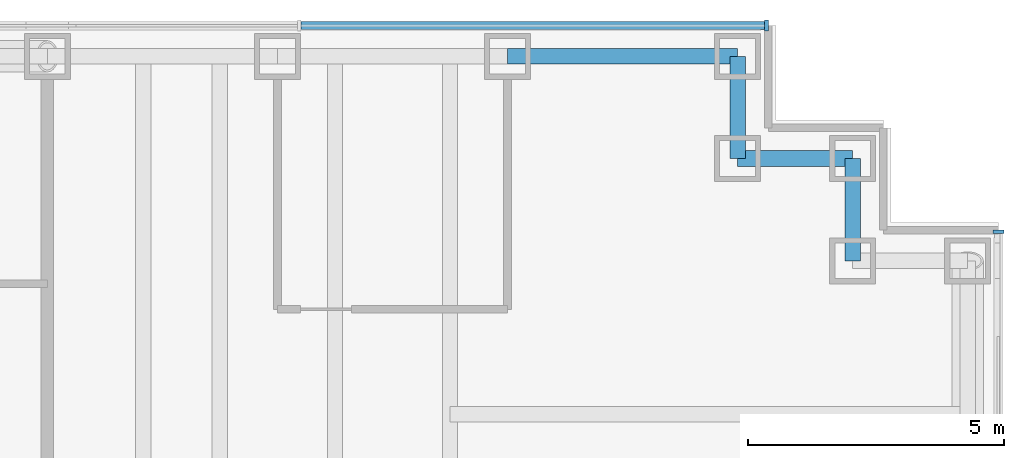
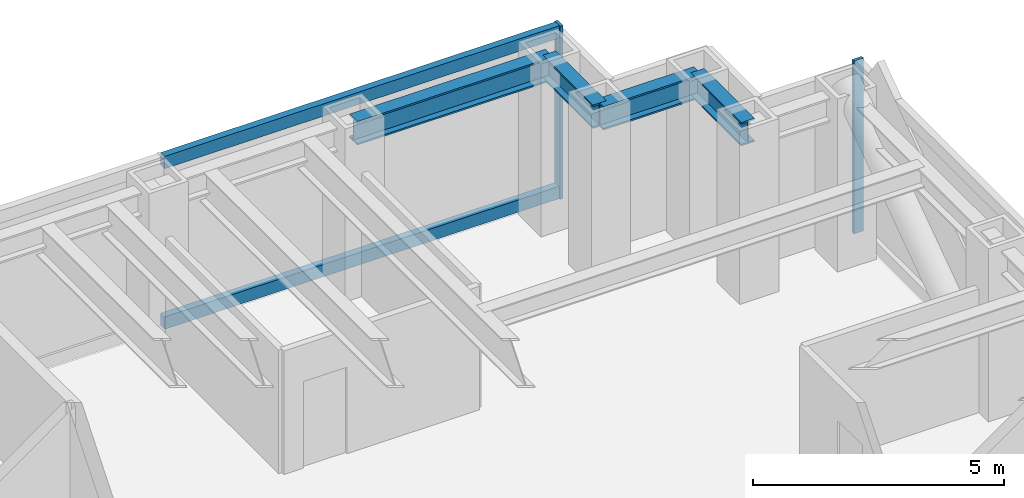
# One storey, part 9 of 17: 4 beams, 4 members, 2 elements without a shape of their own.
"""IFC4 building model written with IfcOpenShell, lengths in metres."""

from ifc_helpers import new_model, si_unit, direction, frame, origin, origin_2d, place, context, subcontext, project, spatial, rectangle, i_section, extrude, material, material_profile, profile_set, type_object, element, aggregate, save


model = new_model("IFC4")

# Units and contexts
model_context = context("Model", 3, precision=1e-05, world=origin(), true_north=direction((0.0, 1.0)))
body_context = subcontext(model_context, "Body", "Model", "MODEL_VIEW")
ifc_project = project(units=[si_unit("LENGTHUNIT", "METRE"), si_unit("AREAUNIT", "SQUARE_METRE"), si_unit("VOLUMEUNIT", "CUBIC_METRE"), si_unit("PLANEANGLEUNIT", "RADIAN"), si_unit("MASSUNIT", "GRAM", prefix="KILO")], contexts=[model_context])

# Site, building, storey
site_placement = place(None, origin())
site = spatial("IfcSite", under=ifc_project, at=site_placement, CompositionType="ELEMENT")
building_placement = place(site_placement, origin())
building = spatial("IfcBuilding", under=site, at=building_placement, Name="Rheinbord Bourse Tower", CompositionType="ELEMENT")
storey_placement = place(building_placement, frame((0.0, 0.0, 138.300048828125)))
storey = spatial("IfcBuildingStorey", under=building, at=storey_placement, Name="L30", CompositionType="ELEMENT", Elevation=138.300048828125)

# Curtain wall, member
ifc_material_1 = material(Name="Dark glass and black aluminium", Category="aluminium")
curtain_wall_type = type_object("IfcCurtainWallType", Name="CW2 DARK GLASS CURTAIN WALL", PredefinedType="USERDEFINED", material=ifc_material_1)
curtain_wall_1_placement = place(storey_placement, origin())
curtain_wall_1 = element("IfcCurtainWall", 1, at=curtain_wall_1_placement, inside=storey, type_object=curtain_wall_type, Name="Curtain wall CW2 E L30", ObjectType="UNITISED CURTAIN WALL", PredefinedType="USERDEFINED")
ifc_material_2 = material(Name="Black anodised aluminium", Category="aluminium")
ifc_material_profile_1 = material_profile(ifc_material_2, rectangle(XDim=0.219970703125, YDim=0.070068359375, at=origin_2d()), Name="CW2 MULLION 70x220")
ifc_profile_set_1 = profile_set([ifc_material_profile_1], Name="Black anodised aluminium")
member_type_1 = type_object("IfcMemberType", Name="CW2 BLACK MULLION", PredefinedType="MULLION", material=ifc_profile_set_1)
member_1_placement = place(storey_placement, frame((72.60009765625, 42.56494140625, 0.0), z_axis=(0.0, 0.0, 1.0), x_axis=(-1.0, 0.0, 0.0)))
member_1 = element("IfcMember", 2, at=member_1_placement, type_object=member_type_1, Name="CW2 mullion 6", PredefinedType="MULLION", context=body_context, shape_type="SweptSolid", body=[
    extrude(rectangle(XDim=0.219970703125, YDim=0.070068359375, at=origin_2d()), origin(), (0.0, 0.0, 1.0), 4.199951171875),
])
aggregate(curtain_wall_1, [member_1])

# Curtain wall, members
curtain_wall_2_placement = place(storey_placement, origin())
curtain_wall_2 = element("IfcCurtainWall", 3, at=curtain_wall_2_placement, inside=storey, type_object=curtain_wall_type, Name="Curtain wall CW2 N L30", ObjectType="UNITISED CURTAIN WALL", PredefinedType="USERDEFINED")
member_2_placement = place(storey_placement, frame((68.06494140625, 46.60009765625, 0.0), z_axis=(0.0, 0.0, 1.0), x_axis=(0.0, -1.0, 0.0)))
member_2 = element("IfcMember", 4, at=member_2_placement, type_object=member_type_1, Name="CW2 mullion 1", PredefinedType="MULLION", context=body_context, shape_type="SweptSolid", body=[
    extrude(rectangle(XDim=0.219970703125, YDim=0.070068359375, at=origin_2d()), origin(), (0.0, 0.0, 1.0), 4.199951171875),
])
ifc_material_3 = material(Name="Black anodised aluminium", Category="aluminium")
ifc_material_profile_2 = material_profile(ifc_material_3, rectangle(XDim=0.159912109375, YDim=0.300048828125, at=origin_2d()), Name="CW2 TRANSOM 300x160")
ifc_profile_set_2 = profile_set([ifc_material_profile_2], Name="Black anodised aluminium")
member_type_2 = type_object("IfcMemberType", Name="CW2 BLACK TRANSOM", PredefinedType="USERDEFINED", material=ifc_profile_set_2)
member_3_placement = place(storey_placement, frame((68.030029296875, 46.60009765625, 0.14990234375), z_axis=(-1.0, 0.0, 0.0), x_axis=(0.0, -1.0, 0.0)))
member_3 = element("IfcMember", 5, at=member_3_placement, type_object=member_type_2, Name="CW2 transom 1.1", ObjectType="TRANSOM", PredefinedType="USERDEFINED", context=body_context, shape_type="SweptSolid", body=[
    extrude(rectangle(XDim=0.159912109375, YDim=0.300048828125, at=origin_2d()), origin(), (0.0, 0.0, 1.0), 9.06640625),
])
member_4_placement = place(storey_placement, frame((68.030029296875, 46.60009765625, 4.050048828125), z_axis=(-1.0, 0.0, 0.0), x_axis=(0.0, -1.0, 0.0)))
member_4 = element("IfcMember", 6, at=member_4_placement, type_object=member_type_2, Name="CW2 transom 1.2", ObjectType="TRANSOM", PredefinedType="USERDEFINED", context=body_context, shape_type="SweptSolid", body=[
    extrude(rectangle(XDim=0.159912109375, YDim=0.300048828125, at=origin_2d()), origin(), (0.0, 0.0, 1.0), 9.06640625),
])
aggregate(curtain_wall_2, [member_2, member_3, member_4])

# Beams
ifc_material_4 = material(Name="Steel S460", Category="steel")
ifc_material_profile_3 = material_profile(ifc_material_4, i_section(OverallWidth=0.305908203125, OverallDepth=0.572021484375, WebThickness=0.02099609375, FlangeThickness=0.0400390625, at=origin_2d()), Name="HEM 550")
ifc_profile_set_3 = profile_set([ifc_material_profile_3], Name="Steel S460")
beam_type = type_object("IfcBeamType", Name="SPANDREL HEM 550", PredefinedType="SPANDREL", material=ifc_profile_set_3)
beam_1_placement = place(storey_placement, frame((69.75, 42.0, 3.75390625), z_axis=(0.0, 1.0, 0.0), x_axis=(-1.0, 0.0, 0.0)))
element("IfcBeam", 7, at=beam_1_placement, inside=storey, type_object=beam_type, Name="Spandrel NE-B-NE-C under L31", PredefinedType="SPANDREL", context=body_context, shape_type="SweptSolid", body=[
    extrude(i_section(OverallWidth=0.305908203125, OverallDepth=0.572021484375, WebThickness=0.02099609375, FlangeThickness=0.0400390625, at=origin_2d()), origin(), (0.0, 0.0, 1.0), 2.0),
])
beam_2_placement = place(storey_placement, frame((69.75, 44.0, 3.75390625), z_axis=(-1.0, 0.0, 0.0), x_axis=(0.0, -1.0, 0.0)))
element("IfcBeam", 8, at=beam_2_placement, inside=storey, type_object=beam_type, Name="Spandrel NE-C-NE-D under L31", PredefinedType="SPANDREL", context=body_context, shape_type="SweptSolid", body=[
    extrude(i_section(OverallWidth=0.305908203125, OverallDepth=0.572021484375, WebThickness=0.02099609375, FlangeThickness=0.0400390625, at=origin_2d()), origin(), (0.0, 0.0, 1.0), 2.25),
])
beam_3_placement = place(storey_placement, frame((67.5, 44.0, 3.75390625), z_axis=(0.0, 1.0, 0.0), x_axis=(-1.0, 0.0, 0.0)))
element("IfcBeam", 9, at=beam_3_placement, inside=storey, type_object=beam_type, Name="Spandrel NE-D-NE-E under L31", PredefinedType="SPANDREL", context=body_context, shape_type="SweptSolid", body=[
    extrude(i_section(OverallWidth=0.305908203125, OverallDepth=0.572021484375, WebThickness=0.02099609375, FlangeThickness=0.0400390625, at=origin_2d()), origin(), (0.0, 0.0, 1.0), 2.0),
])
beam_4_placement = place(storey_placement, frame((67.5, 46.0, 3.75390625), z_axis=(-1.0, 0.0, 0.0), x_axis=(0.0, -1.0, 0.0)))
element("IfcBeam", 10, at=beam_4_placement, inside=storey, type_object=beam_type, Name="Spandrel NE-E-N-63 under L31", PredefinedType="SPANDREL", context=body_context, shape_type="SweptSolid", body=[
    extrude(i_section(OverallWidth=0.305908203125, OverallDepth=0.572021484375, WebThickness=0.02099609375, FlangeThickness=0.0400390625, at=origin_2d()), origin(), (0.0, 0.0, 1.0), 4.5),
])

save(model, "model.ifc")
